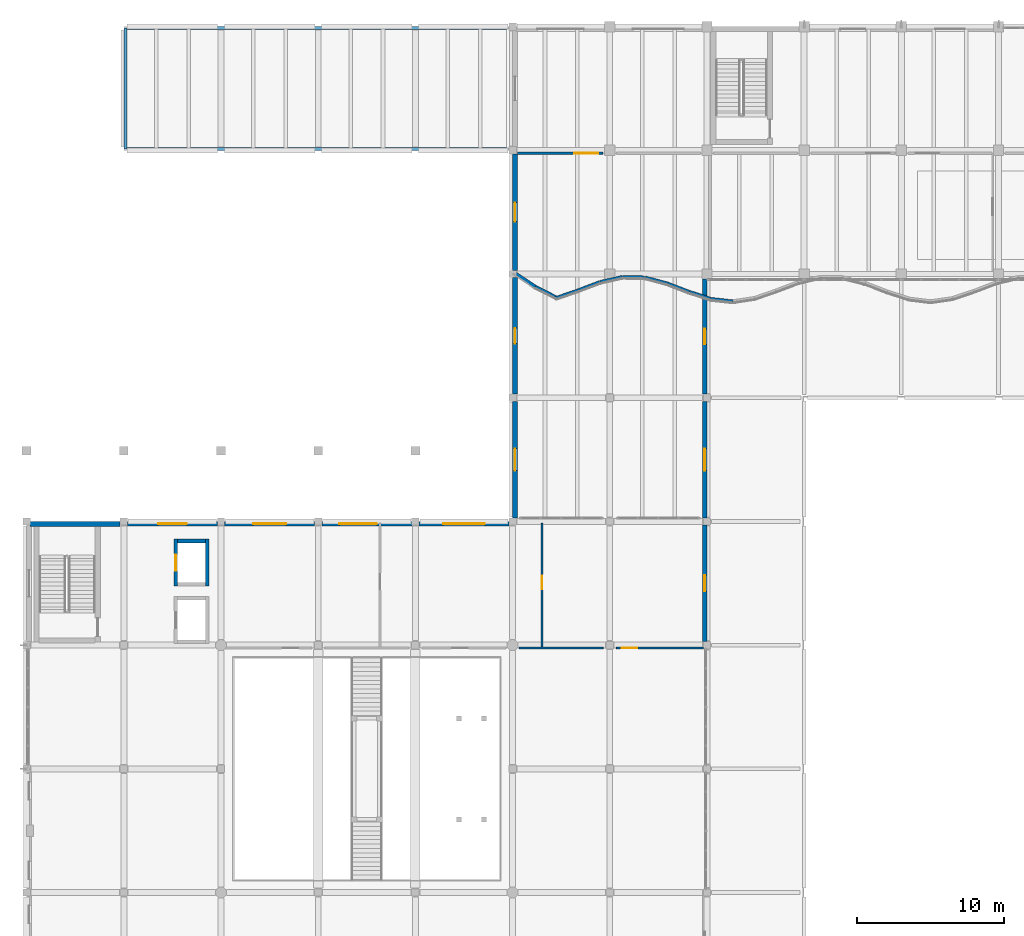
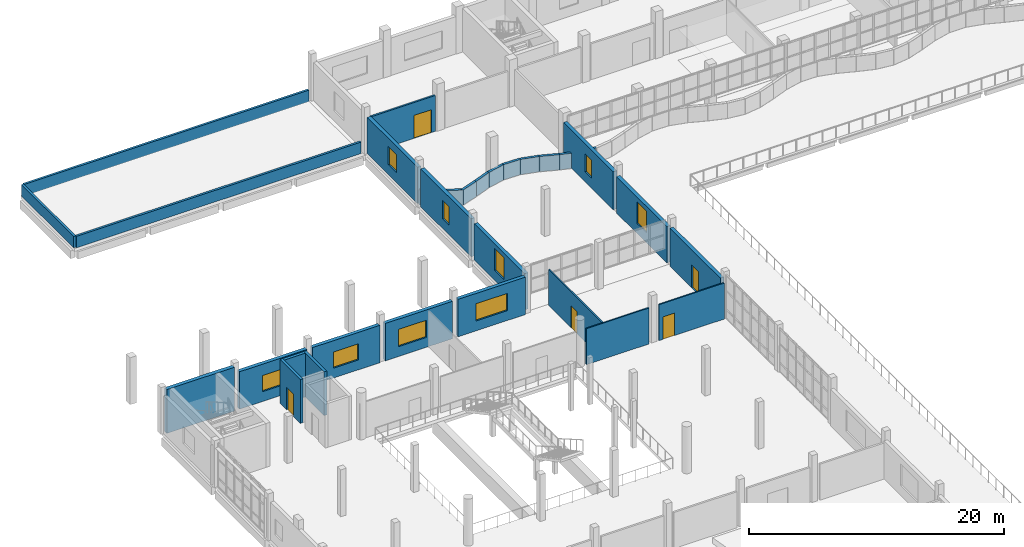
# One storey, part 52 of 83: 31 walls, 9 windows, 5 doors, 14 openings.
"""IFC4 building model written with IfcOpenShell, lengths in metres."""

from ifc_helpers import new_model, si_unit, direction, frame, frame_2d, origin, place, context, subcontext, project, spatial, rectangle, extrude, material, layer, layer_set, type_object, element, fill, save


model = new_model("IFC4")

# Units and contexts
model_context = context("Model", 3, precision=1e-05, world=origin(), true_north=direction((0.0, 1.0)))
body_context = subcontext(model_context, "Body", "Model", "MODEL_VIEW")
ifc_project = project(units=[si_unit("LENGTHUNIT", "METRE"), si_unit("AREAUNIT", "SQUARE_METRE"), si_unit("VOLUMEUNIT", "CUBIC_METRE"), si_unit("PLANEANGLEUNIT", "RADIAN"), si_unit("MASSUNIT", "GRAM", prefix="KILO")], contexts=[model_context])

# Site, building, storey
site_placement = place(None, origin())
site = spatial("IfcSite", under=ifc_project, at=site_placement, CompositionType="ELEMENT")
building_placement = place(site_placement, origin())
building = spatial("IfcBuilding", under=site, at=building_placement, Name="Qaldarim Faculty of Natural and Applied Sciences", CompositionType="ELEMENT")
storey_placement = place(building_placement, frame((0.0, 0.0, 5.39990234375)))
storey = spatial("IfcBuildingStorey", under=building, at=storey_placement, Name="L01", CompositionType="ELEMENT", Elevation=5.39990234375)

# Wall
ifc_material_1 = material(Name="Painted gypsum partition board")
ifc_layer_1 = layer(ifc_material_1, 0.1201171875)
ifc_layer_set_1 = layer_set([ifc_layer_1], Name="Painted gypsum partition board")
wall_type_1 = type_object("IfcWallType", Name="AcousticPartition-120", PredefinedType="PARTITIONING", material=ifc_layer_set_1)
wall_1_placement = place(storey_placement, frame((33.449951171875, 75.39990234375, 0.0), z_axis=(0.0, 0.0, 1.0), x_axis=(1.0, 0.0, 0.0)))
element("IfcWall", 1, at=wall_1_placement, inside=storey, type_object=wall_type_1, Name="Interior partition PRT-L01-V2-TUTS-S4", PredefinedType="PARTITIONING", context=body_context, shape_type="SweptSolid", body=[
    extrude(rectangle(XDim=5.699951171875, YDim=0.1201171875, at=frame_2d((2.85009765625, 0.0))), origin(), (0.0, 0.0, 1.0), 3.4501953125),
])

# Wall, opening, door
wall_2_placement = place(storey_placement, frame((40.050048828125, 75.39990234375, 0.0), z_axis=(0.0, 0.0, 1.0), x_axis=(1.0, 0.0, 0.0)))
wall_2 = element("IfcWall", 2, at=wall_2_placement, inside=storey, type_object=wall_type_1, Name="Interior partition PRT-L01-V2-TUTS-S5", PredefinedType="PARTITIONING", context=body_context, shape_type="SweptSolid", body=[
    extrude(rectangle(XDim=5.89990234375, YDim=0.1201171875, at=frame_2d((2.949951171875, 0.0))), origin(), (0.0, 0.0, 1.0), 3.4501953125),
])
opening_1_placement = place(wall_2_placement, frame((0.35009765625, 0.0, 0.0)))
opening_1 = element("IfcOpeningElement", 3, at=opening_1_placement, cuts=wall_2, Name="Opening ID02", PredefinedType="OPENING", context=body_context, shape_type="SweptSolid", body=[
    extrude(rectangle(XDim=1.050048828125, YDim=2.14990234375, at=frame_2d((0.52490234375, 1.074951171875))), frame((0.0, 0.070068359375, 0.0), z_axis=(0.0, -1.0, 0.0), x_axis=(1.0, 0.0, 0.0)), (0.0, 0.0, 1.0), 0.14013671875),
])
ifc_material_2 = material(Name="Oak hardwood", Category="wood")
door_type_1 = type_object("IfcDoorType", Name="AccessibleRoomDoor-1050x2150", OperationType="NOTDEFINED", PredefinedType="DOOR", material=ifc_material_2)
door_1_placement = place(opening_1_placement, origin())
door_1 = element("IfcDoor", 4, at=door_1_placement, inside=storey, type_object=door_type_1, Name="Interior door D-L01-192", OperationType="SINGLE_SWING_LEFT", OverallHeight=2.14990234375, OverallWidth=1.050048828125, PredefinedType="DOOR", context=body_context, shape_type="SweptSolid", body=[
    extrude(rectangle(XDim=1.050048828125, YDim=2.14990234375, at=frame_2d((0.52490234375, 1.074951171875))), frame((0.0, 0.02490234375, 0.0), z_axis=(0.0, -1.0, 0.0), x_axis=(1.0, 0.0, 0.0)), (0.0, 0.0, 1.0), 0.050048828125),
])
fill(opening_1, door_1)

wall_3_placement = place(storey_placement, frame((35.0, 75.39990234375, 0.0), z_axis=(0.0, 0.0, 1.0), x_axis=(0.0, 1.0, 0.0)))
wall_3 = element("IfcWall", 5, at=wall_3_placement, inside=storey, type_object=wall_type_1, Name="Interior partition PRT-L01-V2-SEMDIV2", PredefinedType="PARTITIONING", context=body_context, shape_type="SweptSolid", body=[
    extrude(rectangle(XDim=8.460205078125, YDim=0.1201171875, at=frame_2d((4.22998046875, 0.0))), origin(), (0.0, 0.0, 1.0), 3.4501953125),
])
opening_2_placement = place(wall_3_placement, frame((4.0, 0.0, 0.0)))
opening_2 = element("IfcOpeningElement", 6, at=opening_2_placement, cuts=wall_3, Name="Opening ID07", PredefinedType="OPENING", context=body_context, shape_type="SweptSolid", body=[
    extrude(rectangle(XDim=0.89990234375, YDim=2.10009765625, at=frame_2d((0.449951171875, 1.050048828125))), frame((0.0, 0.070068359375, 0.0), z_axis=(0.0, -1.0, 0.0), x_axis=(1.0, 0.0, 0.0)), (0.0, 0.0, 1.0), 0.14013671875),
])
door_type_2 = type_object("IfcDoorType", Name="OfficeStudyDoor-900x2100", OperationType="NOTDEFINED", PredefinedType="DOOR", material=ifc_material_2)
door_2_placement = place(opening_2_placement, origin())
door_2 = element("IfcDoor", 7, at=door_2_placement, inside=storey, type_object=door_type_2, Name="Interior door D-L01-377", OperationType="SINGLE_SWING_LEFT", OverallHeight=2.10009765625, OverallWidth=0.89990234375, PredefinedType="DOOR", context=body_context, shape_type="SweptSolid", body=[
    extrude(rectangle(XDim=0.89990234375, YDim=2.10009765625, at=frame_2d((0.449951171875, 1.050048828125))), frame((0.0, 0.02490234375, 0.0), z_axis=(0.0, -1.0, 0.0), x_axis=(1.0, 0.0, 0.0)), (0.0, 0.0, 1.0), 0.050048828125),
])
fill(opening_2, door_2)

# Wall, opening, window
ifc_material_3 = material(Name="Precast concrete C40/50", Category="concrete")
ifc_layer_2 = layer(ifc_material_3, 0.320068359375)
ifc_layer_set_2 = layer_set([ifc_layer_2], Name="Precast concrete C40/50")
wall_type_2 = type_object("IfcWallType", Name="ExteriorLimestoneWall-320", PredefinedType="SOLIDWALL", material=ifc_layer_set_2)
wall_4_placement = place(storey_placement, frame((12.955078125, 83.840087890625, 0.0), z_axis=(0.0, 0.0, 1.0), x_axis=(-1.0, 0.0, 0.0)))
wall_4 = element("IfcWall", 8, at=wall_4_placement, inside=storey, type_object=wall_type_2, Name="Exterior wall EW01 L01 N X02Y10", PredefinedType="SOLIDWALL", context=body_context, shape_type="SweptSolid", body=[
    extrude(rectangle(XDim=6.110107421875, YDim=0.320068359375, at=frame_2d((3.05517578125, 0.0))), origin(), (0.0, 0.0, 1.0), 3.585205078125),
])
opening_3_placement = place(wall_4_placement, frame((2.080078125, 0.0, 0.949951171875)))
opening_3 = element("IfcOpeningElement", 9, at=opening_3_placement, cuts=wall_4, Name="Opening WN11", PredefinedType="OPENING", context=body_context, shape_type="SweptSolid", body=[
    extrude(rectangle(XDim=1.949951171875, YDim=1.550048828125, at=frame_2d((0.97509765625, 0.77490234375))), frame((0.0, 0.169921875, 0.0), z_axis=(0.0, -1.0, 0.0), x_axis=(1.0, 0.0, 0.0)), (0.0, 0.0, 1.0), 0.340087890625),
])
ifc_material_4 = material(Name="Insulated low-e double glazing", Category="glass")
window_type_1 = type_object("IfcWindowType", Name="LabWindow-1950x1550", PartitioningType="DOUBLE_PANEL_VERTICAL", PredefinedType="WINDOW", material=ifc_material_4)
window_1_placement = place(opening_3_placement, origin())
window_1 = element("IfcWindow", 10, at=window_1_placement, inside=storey, type_object=window_type_1, Name="Facade window WN11 L01 N X02Y10", OverallHeight=1.550048828125, OverallWidth=1.949951171875, PartitioningType="SINGLE_PANEL", PredefinedType="WINDOW", context=body_context, shape_type="SweptSolid", body=[
    extrude(rectangle(XDim=1.949951171875, YDim=1.550048828125, at=frame_2d((0.97509765625, 0.77490234375))), frame((0.0, 0.030029296875, 0.0), z_axis=(0.0, -1.0, 0.0), x_axis=(1.0, 0.0, 0.0)), (0.0, 0.0, 1.0), 0.06005859375),
])
fill(opening_3, window_1)

wall_5_placement = place(storey_placement, frame((19.554931640625, 83.840087890625, 0.0), z_axis=(0.0, 0.0, 1.0), x_axis=(-1.0, 0.0, 0.0)))
wall_5 = element("IfcWall", 11, at=wall_5_placement, inside=storey, type_object=wall_type_2, Name="Exterior wall EW01 L01 N X03Y10", PredefinedType="SOLIDWALL", context=body_context, shape_type="SweptSolid", body=[
    extrude(rectangle(XDim=6.10986328125, YDim=0.320068359375, at=frame_2d((3.054931640625, 0.0))), origin(), (0.0, 0.0, 1.0), 3.585205078125),
])
opening_4_placement = place(wall_5_placement, frame((1.929931640625, 0.0, 0.949951171875)))
opening_4 = element("IfcOpeningElement", 12, at=opening_4_placement, cuts=wall_5, Name="Opening WN12", PredefinedType="OPENING", context=body_context, shape_type="SweptSolid", body=[
    extrude(rectangle(XDim=2.25, YDim=1.550048828125, at=frame_2d((1.125, 0.77490234375))), frame((0.0, 0.169921875, 0.0), z_axis=(0.0, -1.0, 0.0), x_axis=(1.0, 0.0, 0.0)), (0.0, 0.0, 1.0), 0.340087890625),
])
window_type_2 = type_object("IfcWindowType", Name="LabWindow-2250x1550", PartitioningType="TRIPLE_PANEL_VERTICAL", PredefinedType="WINDOW", material=ifc_material_4)
window_2_placement = place(opening_4_placement, origin())
window_2 = element("IfcWindow", 13, at=window_2_placement, inside=storey, type_object=window_type_2, Name="Facade window WN12 L01 N X03Y10", OverallHeight=1.550048828125, OverallWidth=2.25, PartitioningType="SINGLE_PANEL", PredefinedType="WINDOW", context=body_context, shape_type="SweptSolid", body=[
    extrude(rectangle(XDim=2.25, YDim=1.550048828125, at=frame_2d((1.125, 0.77490234375))), frame((0.0, 0.030029296875, 0.0), z_axis=(0.0, -1.0, 0.0), x_axis=(1.0, 0.0, 0.0)), (0.0, 0.0, 1.0), 0.06005859375),
])
fill(opening_4, window_2)

wall_6_placement = place(storey_placement, frame((26.155029296875, 83.840087890625, 0.0), z_axis=(0.0, 0.0, 1.0), x_axis=(-1.0, 0.0, 0.0)))
wall_6 = element("IfcWall", 14, at=wall_6_placement, inside=storey, type_object=wall_type_2, Name="Exterior wall EW01 L01 N X04Y10", PredefinedType="SOLIDWALL", context=body_context, shape_type="SweptSolid", body=[
    extrude(rectangle(XDim=6.110107421875, YDim=0.320068359375, at=frame_2d((3.05517578125, 0.0))), origin(), (0.0, 0.0, 1.0), 3.585205078125),
])
opening_5_placement = place(wall_6_placement, frame((2.375, 0.0, 0.949951171875)))
opening_5 = element("IfcOpeningElement", 15, at=opening_5_placement, cuts=wall_6, Name="Opening WN13", PredefinedType="OPENING", context=body_context, shape_type="SweptSolid", body=[
    extrude(rectangle(XDim=2.550048828125, YDim=1.64990234375, at=frame_2d((1.27490234375, 0.824951171875))), frame((0.0, 0.169921875, 0.0), z_axis=(0.0, -1.0, 0.0), x_axis=(1.0, 0.0, 0.0)), (0.0, 0.0, 1.0), 0.340087890625),
])
window_type_3 = type_object("IfcWindowType", Name="LabWindow-2550x1650", PartitioningType="TRIPLE_PANEL_VERTICAL", PredefinedType="WINDOW", material=ifc_material_4)
window_3_placement = place(opening_5_placement, origin())
window_3 = element("IfcWindow", 16, at=window_3_placement, inside=storey, type_object=window_type_3, Name="Facade window WN13 L01 N X04Y10", OverallHeight=1.64990234375, OverallWidth=2.550048828125, PartitioningType="SINGLE_PANEL", PredefinedType="WINDOW", context=body_context, shape_type="SweptSolid", body=[
    extrude(rectangle(XDim=2.550048828125, YDim=1.64990234375, at=frame_2d((1.27490234375, 0.824951171875))), frame((0.0, 0.030029296875, 0.0), z_axis=(0.0, -1.0, 0.0), x_axis=(1.0, 0.0, 0.0)), (0.0, 0.0, 1.0), 0.06005859375),
])
fill(opening_5, window_3)

wall_7_placement = place(storey_placement, frame((32.7548828125, 83.840087890625, 0.0), z_axis=(0.0, 0.0, 1.0), x_axis=(-1.0, 0.0, 0.0)))
wall_7 = element("IfcWall", 17, at=wall_7_placement, inside=storey, type_object=wall_type_2, Name="Exterior wall EW01 L01 N X05Y10", PredefinedType="SOLIDWALL", context=body_context, shape_type="SweptSolid", body=[
    extrude(rectangle(XDim=6.10986328125, YDim=0.320068359375, at=frame_2d((3.054931640625, 0.0))), origin(), (0.0, 0.0, 1.0), 3.585205078125),
])
opening_6_placement = place(wall_7_placement, frame((1.6298828125, 0.0, 0.949951171875)))
opening_6 = element("IfcOpeningElement", 18, at=opening_6_placement, cuts=wall_7, Name="Opening WN14", PredefinedType="OPENING", context=body_context, shape_type="SweptSolid", body=[
    extrude(rectangle(XDim=2.85009765625, YDim=1.64990234375, at=frame_2d((1.425048828125, 0.824951171875))), frame((0.0, 0.169921875, 0.0), z_axis=(0.0, -1.0, 0.0), x_axis=(1.0, 0.0, 0.0)), (0.0, 0.0, 1.0), 0.340087890625),
])
window_type_4 = type_object("IfcWindowType", Name="LabWindow-2850x1650", PartitioningType="TRIPLE_PANEL_VERTICAL", PredefinedType="WINDOW", material=ifc_material_4)
window_4_placement = place(opening_6_placement, origin())
window_4 = element("IfcWindow", 19, at=window_4_placement, inside=storey, type_object=window_type_4, Name="Facade window WN14 L01 N X05Y10", OverallHeight=1.64990234375, OverallWidth=2.85009765625, PartitioningType="SINGLE_PANEL", PredefinedType="WINDOW", context=body_context, shape_type="SweptSolid", body=[
    extrude(rectangle(XDim=2.85009765625, YDim=1.64990234375, at=frame_2d((1.425048828125, 0.824951171875))), frame((0.0, 0.030029296875, 0.0), z_axis=(0.0, -1.0, 0.0), x_axis=(1.0, 0.0, 0.0)), (0.0, 0.0, 1.0), 0.06005859375),
])
fill(opening_6, window_4)

wall_8_placement = place(storey_placement, frame((33.159912109375, 92.155029296875, 0.0), z_axis=(0.0, 0.0, 1.0), x_axis=(0.0, -1.0, 0.0)))
wall_8 = element("IfcWall", 20, at=wall_8_placement, inside=storey, type_object=wall_type_2, Name="Exterior wall EW01 L01 W X06Y11", PredefinedType="SOLIDWALL", context=body_context, shape_type="SweptSolid", body=[
    extrude(rectangle(XDim=7.909912109375, YDim=0.320068359375, at=frame_2d((3.955078125, 0.0))), origin(), (0.0, 0.0, 1.0), 3.485107421875),
])
opening_7_placement = place(wall_8_placement, frame((3.205078125, 0.0, 0.949951171875)))
opening_7 = element("IfcOpeningElement", 21, at=opening_7_placement, cuts=wall_8, Name="Opening WN06", PredefinedType="OPENING", context=body_context, shape_type="SweptSolid", body=[
    extrude(rectangle(XDim=1.5, YDim=2.10009765625, at=frame_2d((0.75, 1.050048828125))), frame((0.0, 0.169921875, 0.0), z_axis=(0.0, -1.0, 0.0), x_axis=(1.0, 0.0, 0.0)), (0.0, 0.0, 1.0), 0.340087890625),
])
window_type_5 = type_object("IfcWindowType", Name="Window-1500x2100", PartitioningType="DOUBLE_PANEL_VERTICAL", PredefinedType="WINDOW", material=ifc_material_4)
window_5_placement = place(opening_7_placement, origin())
window_5 = element("IfcWindow", 22, at=window_5_placement, inside=storey, type_object=window_type_5, Name="Facade window WN06 L01 W X06Y11", OverallHeight=2.10009765625, OverallWidth=1.5, PartitioningType="SINGLE_PANEL", PredefinedType="WINDOW", context=body_context, shape_type="SweptSolid", body=[
    extrude(rectangle(XDim=1.5, YDim=2.10009765625, at=frame_2d((0.75, 1.050048828125))), frame((0.0, 0.030029296875, 0.0), z_axis=(0.0, -1.0, 0.0), x_axis=(1.0, 0.0, 0.0)), (0.0, 0.0, 1.0), 0.06005859375),
])
fill(opening_7, window_5)

wall_9_placement = place(storey_placement, frame((33.159912109375, 100.554931640625, 0.0), z_axis=(0.0, 0.0, 1.0), x_axis=(0.0, -1.0, 0.0)))
wall_9 = element("IfcWall", 23, at=wall_9_placement, inside=storey, type_object=wall_type_2, Name="Exterior wall EW01 L01 W X06Y12", PredefinedType="SOLIDWALL", context=body_context, shape_type="SweptSolid", body=[
    extrude(rectangle(XDim=7.909912109375, YDim=0.320068359375, at=frame_2d((3.955078125, 0.0))), origin(), (0.0, 0.0, 1.0), 3.635009765625),
])
opening_8_placement = place(wall_9_placement, frame((3.429931640625, 0.0, 0.949951171875)))
opening_8 = element("IfcOpeningElement", 24, at=opening_8_placement, cuts=wall_9, Name="Opening WN17", PredefinedType="OPENING", context=body_context, shape_type="SweptSolid", body=[
    extrude(rectangle(XDim=1.050048828125, YDim=1.75, at=frame_2d((0.52490234375, 0.875))), frame((0.0, 0.169921875, 0.0), z_axis=(0.0, -1.0, 0.0), x_axis=(1.0, 0.0, 0.0)), (0.0, 0.0, 1.0), 0.340087890625),
])
window_type_6 = type_object("IfcWindowType", Name="StudyWindow-1050x1750", PartitioningType="SINGLE_PANEL", PredefinedType="WINDOW", material=ifc_material_4)
window_6_placement = place(opening_8_placement, origin())
window_6 = element("IfcWindow", 25, at=window_6_placement, inside=storey, type_object=window_type_6, Name="Facade window WN17 L01 W X06Y12", OverallHeight=1.75, OverallWidth=1.050048828125, PartitioningType="SINGLE_PANEL", PredefinedType="WINDOW", context=body_context, shape_type="SweptSolid", body=[
    extrude(rectangle(XDim=1.050048828125, YDim=1.75, at=frame_2d((0.52490234375, 0.875))), frame((0.0, 0.030029296875, 0.0), z_axis=(0.0, -1.0, 0.0), x_axis=(1.0, 0.0, 0.0)), (0.0, 0.0, 1.0), 0.06005859375),
])
fill(opening_8, window_6)

wall_10_placement = place(storey_placement, frame((33.159912109375, 108.955078125, 0.0), z_axis=(0.0, 0.0, 1.0), x_axis=(0.0, -1.0, 0.0)))
wall_10 = element("IfcWall", 26, at=wall_10_placement, inside=storey, type_object=wall_type_2, Name="Exterior wall EW01 L01 W X06Y13", PredefinedType="SOLIDWALL", context=body_context, shape_type="SweptSolid", body=[
    extrude(rectangle(XDim=7.91015625, YDim=0.320068359375, at=frame_2d((3.955078125, 0.0))), origin(), (0.0, 0.0, 1.0), 3.485107421875),
])
opening_9_placement = place(wall_10_placement, frame((3.304931640625, 0.0, 0.949951171875)))
opening_9 = element("IfcOpeningElement", 27, at=opening_9_placement, cuts=wall_10, Name="Opening WN18", PredefinedType="OPENING", context=body_context, shape_type="SweptSolid", body=[
    extrude(rectangle(XDim=1.300048828125, YDim=1.75, at=frame_2d((0.64990234375, 0.875))), frame((0.0, 0.169921875, 0.0), z_axis=(0.0, -1.0, 0.0), x_axis=(1.0, 0.0, 0.0)), (0.0, 0.0, 1.0), 0.340087890625),
])
window_type_7 = type_object("IfcWindowType", Name="StudyWindow-1300x1750", PartitioningType="SINGLE_PANEL", PredefinedType="WINDOW", material=ifc_material_4)
window_7_placement = place(opening_9_placement, origin())
window_7 = element("IfcWindow", 28, at=window_7_placement, inside=storey, type_object=window_type_7, Name="Facade window WN18 L01 W X06Y13", OverallHeight=1.75, OverallWidth=1.300048828125, PartitioningType="SINGLE_PANEL", PredefinedType="WINDOW", context=body_context, shape_type="SweptSolid", body=[
    extrude(rectangle(XDim=1.300048828125, YDim=1.75, at=frame_2d((0.64990234375, 0.875))), frame((0.0, 0.030029296875, 0.0), z_axis=(0.0, -1.0, 0.0), x_axis=(1.0, 0.0, 0.0)), (0.0, 0.0, 1.0), 0.06005859375),
])
fill(opening_9, window_7)

# Wall, opening, door
wall_11_placement = place(storey_placement, frame((46.0400390625, 75.844970703125, 0.0), z_axis=(0.0, 0.0, 1.0), x_axis=(0.0, 1.0, 0.0)))
wall_11 = element("IfcWall", 29, at=wall_11_placement, inside=storey, type_object=wall_type_2, Name="Exterior wall EW01 L01 E X07Y10", PredefinedType="SOLIDWALL", context=body_context, shape_type="SweptSolid", body=[
    extrude(rectangle(XDim=7.909912109375, YDim=0.320068359375, at=frame_2d((3.955078125, 0.0))), origin(), (0.0, 0.0, 1.0), 3.635009765625),
])
opening_10_placement = place(wall_11_placement, frame((3.405029296875, 0.0, 0.0)))
opening_10 = element("IfcOpeningElement", 30, at=opening_10_placement, cuts=wall_11, Name="Opening ED03", PredefinedType="OPENING", context=body_context, shape_type="SweptSolid", body=[
    extrude(rectangle(XDim=1.10009765625, YDim=2.199951171875, at=frame_2d((0.550048828125, 1.10009765625))), frame((0.0, 0.169921875, 0.0), z_axis=(0.0, -1.0, 0.0), x_axis=(1.0, 0.0, 0.0)), (0.0, 0.0, 1.0), 0.340087890625),
])
ifc_material_5 = material(Name="Anodised aluminium AW-6063", Category="aluminium")
door_type_3 = type_object("IfcDoorType", Name="TerraceAccessDoor-1100x2200", OperationType="NOTDEFINED", PredefinedType="DOOR", material=ifc_material_5)
door_3_placement = place(opening_10_placement, frame((1.10009765625, 0.0, 0.0), z_axis=(0.0, 0.0, 1.0), x_axis=(-1.0, 0.0, 0.0)))
door_3 = element("IfcDoor", 31, at=door_3_placement, inside=storey, type_object=door_type_3, Name="Terrace access door D-L01-020", OperationType="SINGLE_SWING_RIGHT", OverallHeight=2.199951171875, OverallWidth=1.10009765625, PredefinedType="DOOR", context=body_context, shape_type="SweptSolid", body=[
    extrude(rectangle(XDim=1.10009765625, YDim=2.199951171875, at=frame_2d((0.550048828125, 1.10009765625))), frame((0.0, 0.02490234375, 0.0), z_axis=(0.0, -1.0, 0.0), x_axis=(1.0, 0.0, 0.0)), (0.0, 0.0, 1.0), 0.050048828125),
])
fill(opening_10, door_3)

# Wall, opening, window
wall_12_placement = place(storey_placement, frame((46.0400390625, 84.2451171875, 0.0), z_axis=(0.0, 0.0, 1.0), x_axis=(0.0, 1.0, 0.0)))
wall_12 = element("IfcWall", 32, at=wall_12_placement, inside=storey, type_object=wall_type_2, Name="Exterior wall EW01 L01 E X07Y11", PredefinedType="SOLIDWALL", context=body_context, shape_type="SweptSolid", body=[
    extrude(rectangle(XDim=7.909912109375, YDim=0.320068359375, at=frame_2d((3.955078125, 0.0))), origin(), (0.0, 0.0, 1.0), 3.485107421875),
])
opening_11_placement = place(wall_12_placement, frame((3.205078125, 0.0, 0.949951171875)))
opening_11 = element("IfcOpeningElement", 33, at=opening_11_placement, cuts=wall_12, Name="Opening WN06", PredefinedType="OPENING", context=body_context, shape_type="SweptSolid", body=[
    extrude(rectangle(XDim=1.5, YDim=2.10009765625, at=frame_2d((0.75, 1.050048828125))), frame((0.0, 0.169921875, 0.0), z_axis=(0.0, -1.0, 0.0), x_axis=(1.0, 0.0, 0.0)), (0.0, 0.0, 1.0), 0.340087890625),
])
window_8_placement = place(opening_11_placement, origin())
window_8 = element("IfcWindow", 34, at=window_8_placement, inside=storey, type_object=window_type_5, Name="Facade window WN06 L01 E X07Y11", OverallHeight=2.10009765625, OverallWidth=1.5, PartitioningType="SINGLE_PANEL", PredefinedType="WINDOW", context=body_context, shape_type="SweptSolid", body=[
    extrude(rectangle(XDim=1.5, YDim=2.10009765625, at=frame_2d((0.75, 1.050048828125))), frame((0.0, 0.030029296875, 0.0), z_axis=(0.0, -1.0, 0.0), x_axis=(1.0, 0.0, 0.0)), (0.0, 0.0, 1.0), 0.06005859375),
])
fill(opening_11, window_8)

wall_13_placement = place(storey_placement, frame((46.0400390625, 92.64501953125, 0.0), z_axis=(0.0, 0.0, 1.0), x_axis=(0.0, 1.0, 0.0)))
wall_13 = element("IfcWall", 35, at=wall_13_placement, inside=storey, type_object=wall_type_2, Name="Exterior wall EW01 L01 E X07Y12", PredefinedType="SOLIDWALL", context=body_context, shape_type="SweptSolid", body=[
    extrude(rectangle(XDim=7.81005859375, YDim=0.320068359375, at=frame_2d((3.905029296875, 0.0))), origin(), (0.0, 0.0, 1.0), 3.635009765625),
])
opening_12_placement = place(wall_13_placement, frame((3.3798828125, 0.0, 0.949951171875)))
opening_12 = element("IfcOpeningElement", 36, at=opening_12_placement, cuts=wall_13, Name="Opening WN17", PredefinedType="OPENING", context=body_context, shape_type="SweptSolid", body=[
    extrude(rectangle(XDim=1.050048828125, YDim=1.75, at=frame_2d((0.52490234375, 0.875))), frame((0.0, 0.169921875, 0.0), z_axis=(0.0, -1.0, 0.0), x_axis=(1.0, 0.0, 0.0)), (0.0, 0.0, 1.0), 0.340087890625),
])
window_9_placement = place(opening_12_placement, origin())
window_9 = element("IfcWindow", 37, at=window_9_placement, inside=storey, type_object=window_type_6, Name="Facade window WN17 L01 E X07Y12", OverallHeight=1.75, OverallWidth=1.050048828125, PartitioningType="SINGLE_PANEL", PredefinedType="WINDOW", context=body_context, shape_type="SweptSolid", body=[
    extrude(rectangle(XDim=1.050048828125, YDim=1.75, at=frame_2d((0.52490234375, 0.875))), frame((0.0, 0.030029296875, 0.0), z_axis=(0.0, -1.0, 0.0), x_axis=(1.0, 0.0, 0.0)), (0.0, 0.0, 1.0), 0.06005859375),
])
fill(opening_12, window_9)

# Wall
ifc_material_6 = material(Name="Concrete C50/60", Category="concrete")
ifc_layer_3 = layer(ifc_material_6, 0.340087890625)
ifc_layer_set_3 = layer_set([ifc_layer_3], Name="Concrete C50/60")
wall_type_3 = type_object("IfcWallType", Name="ExteriorStairShearWall-340", PredefinedType="SHEAR", material=ifc_layer_set_3)
wall_14_placement = place(storey_placement, frame((6.35498046875, 83.830078125, 0.0), z_axis=(0.0, 0.0, 1.0), x_axis=(-1.0, 0.0, 0.0)))
element("IfcWall", 38, at=wall_14_placement, inside=storey, type_object=wall_type_3, Name="Exterior wall EW05 L01 N X01Y10", PredefinedType="SHEAR", context=body_context, shape_type="SweptSolid", body=[
    extrude(rectangle(XDim=6.10986328125, YDim=0.340087890625, at=frame_2d((3.054931640625, 0.0))), origin(), (0.0, 0.0, 1.0), 4.2001953125),
])

# Wall, opening, door
ifc_material_7 = material(Name="Concrete C40/50", Category="concrete")
ifc_layer_4 = layer(ifc_material_7, 0.159912109375)
ifc_layer_set_4 = layer_set([ifc_layer_4], Name="Concrete C40/50")
wall_type_4 = type_object("IfcWallType", Name="FireCorridorWall-160", PredefinedType="PARTITIONING", material=ifc_layer_set_4)
wall_15_placement = place(storey_placement, frame((33.320068359375, 109.0, 0.0), z_axis=(0.0, 0.0, 1.0), x_axis=(1.0, 0.0, 0.0)))
wall_15 = element("IfcWall", 39, at=wall_15_placement, inside=storey, type_object=wall_type_4, Name="Interior partition PRT-L01-V4-CORS-S1", PredefinedType="PARTITIONING", context=body_context, shape_type="SweptSolid", body=[
    extrude(rectangle(XDim=5.829833984375, YDim=0.159912109375, at=frame_2d((2.9150390625, 0.0))), origin(), (0.0, 0.0, 1.0), 3.43505859375),
])
opening_13_placement = place(wall_15_placement, frame((3.8798828125, 0.0, 0.0)))
opening_13 = element("IfcOpeningElement", 40, at=opening_13_placement, cuts=wall_15, Name="Opening ID06", PredefinedType="OPENING", context=body_context, shape_type="SweptSolid", body=[
    extrude(rectangle(XDim=1.60009765625, YDim=2.199951171875, at=frame_2d((0.800048828125, 1.10009765625))), frame((0.0, 0.08984375, 0.0), z_axis=(0.0, -1.0, 0.0), x_axis=(1.0, 0.0, 0.0)), (0.0, 0.0, 1.0), 0.179931640625),
])
ifc_material_8 = material(Name="Architectural stainless steel 316", Category="steel")
door_type_4 = type_object("IfcDoorType", Name="LabEquipmentDoubleDoor-1600x2200", OperationType="NOTDEFINED", PredefinedType="DOOR", material=ifc_material_8)
door_4_placement = place(opening_13_placement, origin())
door_4 = element("IfcDoor", 41, at=door_4_placement, inside=storey, type_object=door_type_4, Name="Interior door D-L01-193", OperationType="DOUBLE_DOOR_SINGLE_SWING", OverallHeight=2.199951171875, OverallWidth=1.60009765625, PredefinedType="DOOR", context=body_context, shape_type="SweptSolid", body=[
    extrude(rectangle(XDim=1.60009765625, YDim=2.199951171875, at=frame_2d((0.800048828125, 1.10009765625))), frame((0.0, 0.02490234375, 0.0), z_axis=(0.0, -1.0, 0.0), x_axis=(1.0, 0.0, 0.0)), (0.0, 0.0, 1.0), 0.050048828125),
])
fill(opening_13, door_4)

ifc_layer_5 = layer(ifc_material_7, 0.25)
ifc_layer_set_5 = layer_set([ifc_layer_5], Name="Concrete C40/50")
wall_type_5 = type_object("IfcWallType", Name="LiftShaftWall-250", PredefinedType="SHEAR", material=ifc_layer_set_5)
wall_16_placement = place(storey_placement, frame((10.125, 79.60009765625, 0.0), z_axis=(0.0, 0.0, 1.0), x_axis=(0.0, 1.0, 0.0)))
wall_16 = element("IfcWall", 42, at=wall_16_placement, inside=storey, type_object=wall_type_5, Name="Lift LF-D2 front shaft wall L01", PredefinedType="SHEAR", context=body_context, shape_type="SweptSolid", body=[
    extrude(rectangle(XDim=3.199951171875, YDim=0.25, at=frame_2d((1.60009765625, 0.0))), origin(), (0.0, 0.0, 1.0), 4.2001953125),
])
opening_14_placement = place(wall_16_placement, frame((1.050048828125, 0.0, 0.0)))
opening_14 = element("IfcOpeningElement", 43, at=opening_14_placement, cuts=wall_16, Name="Opening LD01", PredefinedType="OPENING", context=body_context, shape_type="SweptSolid", body=[
    extrude(rectangle(XDim=1.10009765625, YDim=2.14990234375, at=frame_2d((0.550048828125, 1.074951171875))), frame((0.0, 0.135009765625, 0.0), z_axis=(0.0, -1.0, 0.0), x_axis=(1.0, 0.0, 0.0)), (0.0, 0.0, 1.0), 0.27001953125),
])
door_type_5 = type_object("IfcDoorType", Name="LiftLandingSlidingDoor-1100x2150", OperationType="NOTDEFINED", PredefinedType="DOOR", material=ifc_material_8)
door_5_placement = place(opening_14_placement, origin())
door_5 = element("IfcDoor", 44, at=door_5_placement, inside=storey, type_object=door_type_5, Name="Lift landing sliding door LF-D2 D-L01-669", OperationType="SLIDING_TO_LEFT", OverallHeight=2.14990234375, OverallWidth=1.10009765625, PredefinedType="DOOR", context=body_context, shape_type="SweptSolid", body=[
    extrude(rectangle(XDim=1.10009765625, YDim=2.14990234375, at=frame_2d((0.550048828125, 1.074951171875))), frame((0.0, 0.02490234375, 0.0), z_axis=(0.0, -1.0, 0.0), x_axis=(1.0, 0.0, 0.0)), (0.0, 0.0, 1.0), 0.050048828125),
])
fill(opening_14, door_5)

# Walls
wall_17_placement = place(storey_placement, frame((12.27490234375, 79.60009765625, 0.0), z_axis=(0.0, 0.0, 1.0), x_axis=(0.0, 1.0, 0.0)))
element("IfcWall", 45, at=wall_17_placement, inside=storey, type_object=wall_type_5, Name="Lift LF-D2 rear shaft wall L01", PredefinedType="SHEAR", context=body_context, shape_type="SweptSolid", body=[
    extrude(rectangle(XDim=3.199951171875, YDim=0.25, at=frame_2d((1.60009765625, 0.0))), origin(), (0.0, 0.0, 1.0), 4.2001953125),
])
wall_18_placement = place(storey_placement, frame((10.25, 82.675048828125, 0.0), z_axis=(0.0, 0.0, 1.0), x_axis=(1.0, 0.0, 0.0)))
element("IfcWall", 46, at=wall_18_placement, inside=storey, type_object=wall_type_5, Name="Lift LF-D2 north shaft wall L01", PredefinedType="SHEAR", context=body_context, shape_type="SweptSolid", body=[
    extrude(rectangle(XDim=1.89990234375, YDim=0.25, at=frame_2d((0.949951171875, 0.0))), origin(), (0.0, 0.0, 1.0), 4.2001953125),
])
ifc_material_9 = material(Name="White architectural precast concrete C40/50", Category="concrete")
ifc_layer_6 = layer(ifc_material_9, 0.199951171875)
ifc_layer_set_6 = layer_set([ifc_layer_6], Name="White architectural precast concrete C40/50")
wall_type_6 = type_object("IfcWallType", Name="RoofParapetWall-200", PredefinedType="PARAPET", material=ifc_layer_set_6)
wall_19_placement = place(storey_placement, frame((6.699951171875, 109.300048828125, 0.0), z_axis=(0.0, 0.0, 1.0), x_axis=(0.0, 1.0, 0.0)))
element("IfcWall", 47, at=wall_19_placement, inside=storey, type_object=wall_type_6, Name="Roof parapet PAR-L01-NWA-W", PredefinedType="PARAPET", context=body_context, shape_type="SweptSolid", body=[
    extrude(rectangle(XDim=8.199951171875, YDim=0.199951171875, at=frame_2d((4.10009765625, 0.0))), origin(), (0.0, 0.0, 1.0), 1.10009765625),
])
for number, where, z_axis, x_axis, name in (
    (48, (6.800048828125, 109.300048828125, 0.0), (0.0, 0.0, 1.0), (1.0, 0.0, 0.0), "Roof parapet PAR-L01-NWA-S"),
    (49, (32.60009765625, 117.5, 0.0), (0.0, 0.0, 1.0), (-1.0, 0.0, 0.0), "Roof parapet PAR-L01-NWA-N"),
):
    element("IfcWall", number, at=place(storey_placement, frame(where, z_axis=z_axis, x_axis=x_axis)), inside=storey, type_object=wall_type_6, Name=name, PredefinedType="PARAPET", context=body_context, shape_type="SweptSolid", body=[
        extrude(rectangle(XDim=25.800048828125, YDim=0.199951171875, at=frame_2d((12.89990234375, 0.0))), origin(), (0.0, 0.0, 1.0), 1.10009765625),
    ])
ifc_layer_7 = layer(ifc_material_9, 0.219970703125)
ifc_layer_set_7 = layer_set([ifc_layer_7], Name="White architectural precast concrete C40/50")
wall_type_7 = type_object("IfcWallType", Name="WhitePrecastWaveBand-220", PredefinedType="SOLIDWALL", material=ifc_layer_set_7)
wall_20_placement = place(storey_placement, frame((33.080078125, 100.9150390625, 0.0), z_axis=(0.0, 0.0, 1.0), x_axis=(0.832426581762, -0.554135349871, 0.0)))
element("IfcWall", 50, at=wall_20_placement, inside=storey, type_object=wall_type_7, Name="White precast wave spandrel band L01 chord 01", PredefinedType="SOLIDWALL", context=body_context, shape_type="SweptSolid", body=[
    extrude(rectangle(XDim=1.7958984375, YDim=0.219970703125, at=frame_2d((0.89794921875, 0.0))), origin(), (0.0, 0.0, 1.0), 1.4501953125),
])
wall_21_placement = place(storey_placement, frame((34.56005859375, 99.929931640625, 0.0), z_axis=(0.0, 0.0, 1.0), x_axis=(0.891408058226, -0.453201581783, 0.0)))
element("IfcWall", 51, at=wall_21_placement, inside=storey, type_object=wall_type_7, Name="White precast wave spandrel band L01 chord 02", PredefinedType="SOLIDWALL", context=body_context, shape_type="SweptSolid", body=[
    extrude(rectangle(XDim=1.677001953125, YDim=0.219970703125, at=frame_2d((0.83837890625, 0.0))), origin(), (0.0, 0.0, 1.0), 1.4501953125),
])
wall_22_placement = place(storey_placement, frame((35.945068359375, 99.175048828125, 0.0), z_axis=(0.0, 0.0, 1.0), x_axis=(0.9454861517, 0.325662305069, 0.0)))
element("IfcWall", 52, at=wall_22_placement, inside=storey, type_object=wall_type_7, Name="White precast wave spandrel band L01 chord 03", PredefinedType="SOLIDWALL", context=body_context, shape_type="SweptSolid", body=[
    extrude(rectangle(XDim=1.5810546875, YDim=0.219970703125, at=frame_2d((0.79052734375, 0.0))), origin(), (0.0, 0.0, 1.0), 1.4501953125),
])
wall_23_placement = place(storey_placement, frame((37.43505859375, 99.68994140625, 0.0), z_axis=(0.0, 0.0, 1.0), x_axis=(0.935044819014, 0.354529528297, 0.0)))
element("IfcWall", 53, at=wall_23_placement, inside=storey, type_object=wall_type_7, Name="White precast wave spandrel band L01 chord 04", PredefinedType="SOLIDWALL", context=body_context, shape_type="SweptSolid", body=[
    extrude(rectangle(XDim=1.593505859375, YDim=0.219970703125, at=frame_2d((0.796875, 0.0))), origin(), (0.0, 0.0, 1.0), 1.4501953125),
])
wall_24_placement = place(storey_placement, frame((38.945068359375, 100.260009765625, 0.0), z_axis=(0.0, 0.0, 1.0), x_axis=(0.975084338019, 0.221834473765, 0.0)))
element("IfcWall", 54, at=wall_24_placement, inside=storey, type_object=wall_type_7, Name="White precast wave spandrel band L01 chord 05", PredefinedType="SOLIDWALL", context=body_context, shape_type="SweptSolid", body=[
    extrude(rectangle(XDim=1.532958984375, YDim=0.219970703125, at=frame_2d((0.7666015625, 0.0))), origin(), (0.0, 0.0, 1.0), 1.4501953125),
])
wall_25_placement = place(storey_placement, frame((40.47509765625, 100.60498046875, 0.0), z_axis=(0.0, 0.0, 1.0), x_axis=(0.999727393664, -0.023348198154, 0.0)))
element("IfcWall", 55, at=wall_25_placement, inside=storey, type_object=wall_type_7, Name="White precast wave spandrel band L01 chord 06", PredefinedType="SOLIDWALL", context=body_context, shape_type="SweptSolid", body=[
    extrude(rectangle(XDim=1.495361328125, YDim=0.219970703125, at=frame_2d((0.74755859375, 0.0))), origin(), (0.0, 0.0, 1.0), 1.4501953125),
])
wall_26_placement = place(storey_placement, frame((42.0, 100.56494140625, 0.0), z_axis=(0.0, 0.0, 1.0), x_axis=(0.966040919429, -0.258389129005, 0.0)))
element("IfcWall", 56, at=wall_26_placement, inside=storey, type_object=wall_type_7, Name="White precast wave spandrel band L01 chord 07", PredefinedType="SOLIDWALL", context=body_context, shape_type="SweptSolid", body=[
    extrude(rectangle(XDim=1.547607421875, YDim=0.219970703125, at=frame_2d((0.77392578125, 0.0))), origin(), (0.0, 0.0, 1.0), 1.4501953125),
])
wall_27_placement = place(storey_placement, frame((43.510009765625, 100.159912109375, 0.0), z_axis=(0.0, 0.0, 1.0), x_axis=(0.933345606203, -0.358979079309, 0.0)))
element("IfcWall", 57, at=wall_27_placement, inside=storey, type_object=wall_type_7, Name="White precast wave spandrel band L01 chord 08", PredefinedType="SOLIDWALL", context=body_context, shape_type="SweptSolid", body=[
    extrude(rectangle(XDim=1.6015625, YDim=0.219970703125, at=frame_2d((0.80078125, 0.0))), origin(), (0.0, 0.0, 1.0), 1.4501953125),
])
wall_28_placement = place(storey_placement, frame((45.0, 99.590087890625, 0.0), z_axis=(0.0, 0.0, 1.0), x_axis=(0.951184623069, -0.308622443834, 0.0)))
element("IfcWall", 58, at=wall_28_placement, inside=storey, type_object=wall_type_7, Name="White precast wave spandrel band L01 chord 09", PredefinedType="SOLIDWALL", context=body_context, shape_type="SweptSolid", body=[
    extrude(rectangle(XDim=1.57177734375, YDim=0.219970703125, at=frame_2d((0.785888671875, 0.0))), origin(), (0.0, 0.0, 1.0), 1.4501953125),
])
wall_29_placement = place(storey_placement, frame((46.465087890625, 99.110107421875, 0.0), z_axis=(0.0, 0.0, 1.0), x_axis=(0.993583307582, -0.11310265644, 0.0)))
element("IfcWall", 59, at=wall_29_placement, inside=storey, type_object=wall_type_7, Name="White precast wave spandrel band L01 chord 10", PredefinedType="SOLIDWALL", context=body_context, shape_type="SweptSolid", body=[
    extrude(rectangle(XDim=1.504638671875, YDim=0.219970703125, at=frame_2d((0.75244140625, 0.0))), origin(), (0.0, 0.0, 1.0), 1.4501953125),
])

save(model, "model.ifc")
